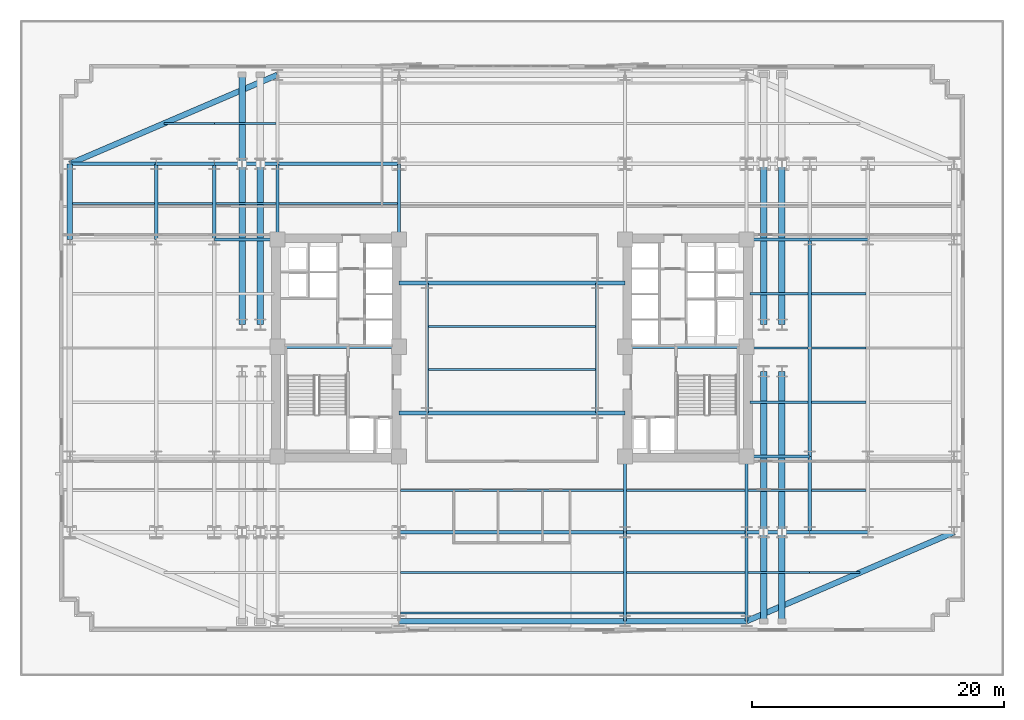
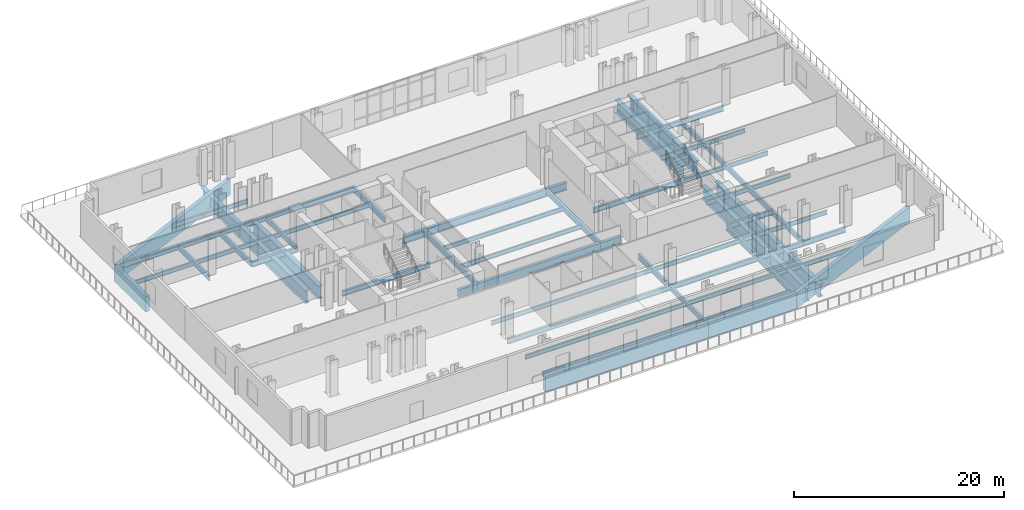
# One storey, part 2 of 14: 70 beams.
"""IFC4 building model written with IfcOpenShell, lengths in metres."""

from ifc_helpers import new_model, si_unit, direction, frame, origin, origin_2d, place, context, subcontext, project, spatial, rectangle, i_section, extrude, material, material_profile, profile_set, type_object, element, save


model = new_model("IFC4")

# Units and contexts
model_context = context("Model", 3, precision=1e-05, world=origin(), true_north=direction((0.0, 1.0)))
body_context = subcontext(model_context, "Body", "Model", "MODEL_VIEW")
ifc_project = project(units=[si_unit("LENGTHUNIT", "METRE"), si_unit("AREAUNIT", "SQUARE_METRE"), si_unit("VOLUMEUNIT", "CUBIC_METRE"), si_unit("PLANEANGLEUNIT", "RADIAN"), si_unit("MASSUNIT", "GRAM", prefix="KILO")], contexts=[model_context])

# Site, building, storey
site_placement = place(None, origin())
site = spatial("IfcSite", under=ifc_project, at=site_placement, CompositionType="ELEMENT")
building_placement = place(site_placement, origin())
building = spatial("IfcBuilding", under=site, at=building_placement, Name="Velakula Bourse", CompositionType="ELEMENT")
storey_placement = place(building_placement, frame((0.0, 0.0, 27.0)))
storey = spatial("IfcBuildingStorey", under=building, at=storey_placement, Name="L06", CompositionType="ELEMENT", Elevation=27.0)

# Beams
ifc_material_1 = material(Name="Steel IS 2062 Grade 350 (E350)", Category="steel")
ifc_material_profile_1 = material_profile(ifc_material_1, i_section(OverallWidth=0.25, OverallDepth=0.60009765625, WebThickness=0.01171875, FlangeThickness=0.023681640625, at=origin_2d()), Name="Steel IS 2062 Grade 350 (E350)")
ifc_profile_set_1 = profile_set([ifc_material_profile_1], Name="Steel IS 2062 Grade 350 (E350)")
beam_type_1 = type_object("IfcBeamType", Name="BM-GRD-600H", PredefinedType="BEAM", material=ifc_profile_set_1)
for number, where, z_axis, x_axis, name in (
    (1, (-18.60009765625, 0.10009765625, -0.580078125), (1.0, 0.0, 0.0), (0.0, 1.0, 0.0), "L06 Primary Backbone Girder CRW-M"),
    (2, (8.949951171875, 0.10009765625, -0.580078125), (1.0, 0.0, 0.0), (0.0, 1.0, 0.0), "L06 Primary Backbone Girder CRE-M"),
):
    element("IfcBeam", number, at=place(storey_placement, frame(where, z_axis=z_axis, x_axis=x_axis)), inside=storey, type_object=beam_type_1, Name=name, PredefinedType="BEAM", context=body_context, shape_type="SweptSolid", body=[
        extrude(i_section(OverallWidth=0.25, OverallDepth=0.60009765625, WebThickness=0.01171875, FlangeThickness=0.023681640625, at=origin_2d()), origin(), (0.0, 0.0, 1.0), 9.650146484375),
    ])
for number, where, z_axis, x_axis, name in (
    (3, (-6.75, -5.14990234375, -0.580078125), (0.0, 1.0, 0.0), (-1.0, 0.0, 0.0), "L06 Primary Backbone Girder SPN-W"),
    (4, (6.75, -5.14990234375, -0.580078125), (0.0, 1.0, 0.0), (-1.0, 0.0, 0.0), "L06 Primary Backbone Girder SPN-E"),
):
    element("IfcBeam", number, at=place(storey_placement, frame(where, z_axis=z_axis, x_axis=x_axis)), inside=storey, type_object=beam_type_1, Name=name, PredefinedType="BEAM", context=body_context, shape_type="SweptSolid", body=[
        extrude(i_section(OverallWidth=0.25, OverallDepth=0.60009765625, WebThickness=0.01171875, FlangeThickness=0.023681640625, at=origin_2d()), origin(), (0.0, 0.0, 1.0), 10.2998046875),
    ])
for number, where, z_axis, x_axis, name in (
    (5, (-18.60009765625, 8.60009765625, -0.580078125), (0.0, 1.0, 0.0), (-1.0, 0.0, 0.0), "L06 Fulcrum Grid Girder FLC-WN"),
    (6, (-8.949951171875, 8.60009765625, -0.580078125), (0.0, 1.0, 0.0), (-1.0, 0.0, 0.0), "L06 Fulcrum Grid Girder FLC-WCN"),
    (7, (8.949951171875, -14.60009765625, -0.580078125), (0.0, 1.0, 0.0), (-1.0, 0.0, 0.0), "L06 Fulcrum Grid Girder FLC-ECS"),
    (8, (18.60009765625, -14.60009765625, -0.580078125), (0.0, 1.0, 0.0), (-1.0, 0.0, 0.0), "L06 Fulcrum Grid Girder FLC-ES"),
):
    element("IfcBeam", number, at=place(storey_placement, frame(where, z_axis=z_axis, x_axis=x_axis)), inside=storey, type_object=beam_type_1, Name=name, PredefinedType="BEAM", context=body_context, shape_type="SweptSolid", body=[
        extrude(i_section(OverallWidth=0.25, OverallDepth=0.60009765625, WebThickness=0.01171875, FlangeThickness=0.023681640625, at=origin_2d()), origin(), (0.0, 0.0, 1.0), 6.0),
    ])
beam_1_placement = place(storey_placement, frame((-8.949951171875, -14.60009765625, -0.580078125), z_axis=(1.0, 0.0, 0.0), x_axis=(0.0, 1.0, 0.0)))
element("IfcBeam", 9, at=beam_1_placement, inside=storey, type_object=beam_type_1, Name="L06 Fulcrum Grid Girder FLC-S2", PredefinedType="BEAM", context=body_context, shape_type="SweptSolid", body=[
    extrude(i_section(OverallWidth=0.25, OverallDepth=0.60009765625, WebThickness=0.01171875, FlangeThickness=0.023681640625, at=origin_2d()), origin(), (0.0, 0.0, 1.0), 17.89990234375),
])
for number, where, z_axis, x_axis, name in (
    (10, (8.949951171875, -14.60009765625, -0.580078125), (1.0, 0.0, 0.0), (0.0, 1.0, 0.0), "L06 Fulcrum Grid Girder FLC-S3"),
    (11, (-18.60009765625, 14.60009765625, -0.580078125), (1.0, 0.0, 0.0), (0.0, 1.0, 0.0), "L06 Fulcrum Grid Girder FLC-N1"),
):
    element("IfcBeam", number, at=place(storey_placement, frame(where, z_axis=z_axis, x_axis=x_axis)), inside=storey, type_object=beam_type_1, Name=name, PredefinedType="BEAM", context=body_context, shape_type="SweptSolid", body=[
        extrude(i_section(OverallWidth=0.25, OverallDepth=0.60009765625, WebThickness=0.01171875, FlangeThickness=0.023681640625, at=origin_2d()), origin(), (0.0, 0.0, 1.0), 9.650146484375),
    ])
for number, where, z_axis, x_axis, name in (
    (12, (-23.60009765625, 8.60009765625, -0.580078125), (1.0, 0.0, 0.0), (0.0, 1.0, 0.0), "L06 Fulcrum Grid Girder MWG-WN1"),
    (13, (-23.60009765625, 14.60009765625, -0.580078125), (1.0, 0.0, 0.0), (0.0, 1.0, 0.0), "L06 Fulcrum Grid Girder MWG-WN2"),
):
    element("IfcBeam", number, at=place(storey_placement, frame(where, z_axis=z_axis, x_axis=x_axis)), inside=storey, type_object=beam_type_1, Name=name, PredefinedType="BEAM", context=body_context, shape_type="SweptSolid", body=[
        extrude(i_section(OverallWidth=0.25, OverallDepth=0.60009765625, WebThickness=0.01171875, FlangeThickness=0.023681640625, at=origin_2d()), origin(), (0.0, 0.0, 1.0), 5.0),
    ])
beam_2_placement = place(storey_placement, frame((-23.60009765625, 8.60009765625, -0.580078125), z_axis=(0.0, 1.0, 0.0), x_axis=(-1.0, 0.0, 0.0)))
element("IfcBeam", 14, at=beam_2_placement, inside=storey, type_object=beam_type_1, Name="L06 Fulcrum Grid Girder MWG-WNS3", PredefinedType="BEAM", context=body_context, shape_type="SweptSolid", body=[
    extrude(i_section(OverallWidth=0.25, OverallDepth=0.60009765625, WebThickness=0.01171875, FlangeThickness=0.023681640625, at=origin_2d()), origin(), (0.0, 0.0, 1.0), 6.0),
])
for number, where, z_axis, x_axis, name in (
    (15, (18.60009765625, -14.60009765625, -0.580078125), (1.0, 0.0, 0.0), (0.0, 1.0, 0.0), "L06 Fulcrum Grid Girder MWG-ES1"),
    (16, (18.60009765625, -8.60009765625, -0.580078125), (1.0, 0.0, 0.0), (0.0, 1.0, 0.0), "L06 Fulcrum Grid Girder MWG-ES2"),
    (17, (18.60009765625, 8.60009765625, -0.580078125), (1.0, 0.0, 0.0), (0.0, 1.0, 0.0), "L06 Fulcrum Grid Girder MWG-EN1"),
):
    element("IfcBeam", number, at=place(storey_placement, frame(where, z_axis=z_axis, x_axis=x_axis)), inside=storey, type_object=beam_type_1, Name=name, PredefinedType="BEAM", context=body_context, shape_type="SweptSolid", body=[
        extrude(i_section(OverallWidth=0.25, OverallDepth=0.60009765625, WebThickness=0.01171875, FlangeThickness=0.023681640625, at=origin_2d()), origin(), (0.0, 0.0, 1.0), 5.0),
    ])
beam_3_placement = place(storey_placement, frame((23.60009765625, -14.60009765625, -0.580078125), z_axis=(0.0, 1.0, 0.0), x_axis=(-1.0, 0.0, 0.0)))
element("IfcBeam", 18, at=beam_3_placement, inside=storey, type_object=beam_type_1, Name="L06 Fulcrum Grid Girder MWG-ENS1", PredefinedType="BEAM", context=body_context, shape_type="SweptSolid", body=[
    extrude(i_section(OverallWidth=0.25, OverallDepth=0.60009765625, WebThickness=0.01171875, FlangeThickness=0.023681640625, at=origin_2d()), origin(), (0.0, 0.0, 1.0), 6.0),
])
beam_4_placement = place(storey_placement, frame((23.60009765625, -8.60009765625, -0.580078125), z_axis=(0.0, 1.0, 0.0), x_axis=(-1.0, 0.0, 0.0)))
element("IfcBeam", 19, at=beam_4_placement, inside=storey, type_object=beam_type_1, Name="L06 Fulcrum Grid Girder MWG-ENS2", PredefinedType="BEAM", context=body_context, shape_type="SweptSolid", body=[
    extrude(i_section(OverallWidth=0.25, OverallDepth=0.60009765625, WebThickness=0.01171875, FlangeThickness=0.023681640625, at=origin_2d()), origin(), (0.0, 0.0, 1.0), 17.2001953125),
])
beam_5_placement = place(storey_placement, frame((-28.199951171875, 14.60009765625, -0.580078125), z_axis=(1.0, 0.0, 0.0), x_axis=(0.0, 1.0, 0.0)))
element("IfcBeam", 20, at=beam_5_placement, inside=storey, type_object=beam_type_1, Name="L06 Fulcrum Grid Girder WNG-WN2", PredefinedType="BEAM", context=body_context, shape_type="SweptSolid", body=[
    extrude(i_section(OverallWidth=0.25, OverallDepth=0.60009765625, WebThickness=0.01171875, FlangeThickness=0.023681640625, at=origin_2d()), origin(), (0.0, 0.0, 1.0), 4.599853515625),
])
beam_6_placement = place(storey_placement, frame((-28.199951171875, 8.60009765625, -0.580078125), z_axis=(0.0, 1.0, 0.0), x_axis=(-1.0, 0.0, 0.0)))
element("IfcBeam", 21, at=beam_6_placement, inside=storey, type_object=beam_type_1, Name="L06 Fulcrum Grid Girder WNG-WNS3", PredefinedType="BEAM", context=body_context, shape_type="SweptSolid", body=[
    extrude(i_section(OverallWidth=0.25, OverallDepth=0.60009765625, WebThickness=0.01171875, FlangeThickness=0.023681640625, at=origin_2d()), origin(), (0.0, 0.0, 1.0), 6.0),
])
for number, where, z_axis, x_axis, name in (
    (22, (23.60009765625, -14.60009765625, -0.580078125), (1.0, 0.0, 0.0), (0.0, 1.0, 0.0), "L06 Fulcrum Grid Girder WNG-ES1"),
    (23, (23.60009765625, 8.60009765625, -0.580078125), (1.0, 0.0, 0.0), (0.0, 1.0, 0.0), "L06 Fulcrum Grid Girder WNG-EN1"),
):
    element("IfcBeam", number, at=place(storey_placement, frame(where, z_axis=z_axis, x_axis=x_axis)), inside=storey, type_object=beam_type_1, Name=name, PredefinedType="BEAM", context=body_context, shape_type="SweptSolid", body=[
        extrude(i_section(OverallWidth=0.25, OverallDepth=0.60009765625, WebThickness=0.01171875, FlangeThickness=0.023681640625, at=origin_2d()), origin(), (0.0, 0.0, 1.0), 4.599853515625),
    ])
for number, where, z_axis, x_axis, name in (
    (24, (8.949951171875, -14.60009765625, -0.580078125), (0.0, -1.0, 0.0), (1.0, 0.0, 0.0), "L06 Perimeter Tie Girder S3"),
    (25, (18.60009765625, -14.60009765625, -0.580078125), (0.0, -1.0, 0.0), (1.0, 0.0, 0.0), "L06 Perimeter Tie Girder S4"),
):
    element("IfcBeam", number, at=place(storey_placement, frame(where, z_axis=z_axis, x_axis=x_axis)), inside=storey, type_object=beam_type_1, Name=name, PredefinedType="BEAM", context=body_context, shape_type="SweptSolid", body=[
        extrude(i_section(OverallWidth=0.25, OverallDepth=0.60009765625, WebThickness=0.01171875, FlangeThickness=0.023681640625, at=origin_2d()), origin(), (0.0, 0.0, 1.0), 7.0498046875),
    ])
beam_7_placement = place(storey_placement, frame((-28.199951171875, 14.60009765625, -0.580078125), z_axis=(-1.0, 0.0, 0.0), x_axis=(0.0, -1.0, 0.0)))
element("IfcBeam", 26, at=beam_7_placement, inside=storey, type_object=beam_type_1, Name="L06 Perimeter Tie Girder W4", PredefinedType="BEAM", context=body_context, shape_type="SweptSolid", body=[
    extrude(i_section(OverallWidth=0.25, OverallDepth=0.60009765625, WebThickness=0.01171875, FlangeThickness=0.023681640625, at=origin_2d()), origin(), (0.0, 0.0, 1.0), 6.85009765625),
])
ifc_material_profile_2 = material_profile(ifc_material_1, i_section(OverallWidth=0.35009765625, OverallDepth=0.89990234375, WebThickness=0.02001953125, FlangeThickness=0.031982421875, at=origin_2d()), Name="Steel IS 2062 Grade 350 (E350)")
ifc_profile_set_2 = profile_set([ifc_material_profile_2], Name="Steel IS 2062 Grade 350 (E350)")
beam_type_2 = type_object("IfcBeamType", Name="BM-LNK-900", PredefinedType="BEAM", material=ifc_profile_set_2)
beam_8_placement = place(storey_placement, frame((-8.949951171875, -5.14990234375, -0.72998046875), z_axis=(1.0, 0.0, 0.0), x_axis=(0.0, 1.0, 0.0)))
element("IfcBeam", 27, at=beam_8_placement, inside=storey, type_object=beam_type_2, Name="L06 Primary Backbone Girder LNK-S1", PredefinedType="BEAM", context=body_context, shape_type="SweptSolid", body=[
    extrude(i_section(OverallWidth=0.35009765625, OverallDepth=0.89990234375, WebThickness=0.02001953125, FlangeThickness=0.031982421875, at=origin_2d()), origin(), (0.0, 0.0, 1.0), 2.199951171875),
])
beam_9_placement = place(storey_placement, frame((-6.75, -5.14990234375, -0.72998046875), z_axis=(1.0, 0.0, 0.0), x_axis=(0.0, 1.0, 0.0)))
element("IfcBeam", 28, at=beam_9_placement, inside=storey, type_object=beam_type_2, Name="L06 Primary Backbone Girder LNK-S2", PredefinedType="BEAM", context=body_context, shape_type="SweptSolid", body=[
    extrude(i_section(OverallWidth=0.35009765625, OverallDepth=0.89990234375, WebThickness=0.02001953125, FlangeThickness=0.031982421875, at=origin_2d()), origin(), (0.0, 0.0, 1.0), 13.5),
])
for number, where, z_axis, x_axis, name in (
    (29, (6.75, -5.14990234375, -0.72998046875), (1.0, 0.0, 0.0), (0.0, 1.0, 0.0), "L06 Primary Backbone Girder LNK-S3"),
    (30, (-8.949951171875, 5.14990234375, -0.72998046875), (1.0, 0.0, 0.0), (0.0, 1.0, 0.0), "L06 Primary Backbone Girder LNK-N1"),
):
    element("IfcBeam", number, at=place(storey_placement, frame(where, z_axis=z_axis, x_axis=x_axis)), inside=storey, type_object=beam_type_2, Name=name, PredefinedType="BEAM", context=body_context, shape_type="SweptSolid", body=[
        extrude(i_section(OverallWidth=0.35009765625, OverallDepth=0.89990234375, WebThickness=0.02001953125, FlangeThickness=0.031982421875, at=origin_2d()), origin(), (0.0, 0.0, 1.0), 2.199951171875),
    ])
beam_10_placement = place(storey_placement, frame((-6.75, 5.14990234375, -0.72998046875), z_axis=(1.0, 0.0, 0.0), x_axis=(0.0, 1.0, 0.0)))
element("IfcBeam", 31, at=beam_10_placement, inside=storey, type_object=beam_type_2, Name="L06 Primary Backbone Girder LNK-N2", PredefinedType="BEAM", context=body_context, shape_type="SweptSolid", body=[
    extrude(i_section(OverallWidth=0.35009765625, OverallDepth=0.89990234375, WebThickness=0.02001953125, FlangeThickness=0.031982421875, at=origin_2d()), origin(), (0.0, 0.0, 1.0), 13.5),
])
beam_11_placement = place(storey_placement, frame((6.75, 5.14990234375, -0.72998046875), z_axis=(1.0, 0.0, 0.0), x_axis=(0.0, 1.0, 0.0)))
element("IfcBeam", 32, at=beam_11_placement, inside=storey, type_object=beam_type_2, Name="L06 Primary Backbone Girder LNK-N3", PredefinedType="BEAM", context=body_context, shape_type="SweptSolid", body=[
    extrude(i_section(OverallWidth=0.35009765625, OverallDepth=0.89990234375, WebThickness=0.02001953125, FlangeThickness=0.031982421875, at=origin_2d()), origin(), (0.0, 0.0, 1.0), 2.199951171875),
])
ifc_material_profile_3 = material_profile(ifc_material_1, i_section(OverallWidth=0.179931640625, OverallDepth=0.5, WebThickness=0.01025390625, FlangeThickness=0.01708984375, at=origin_2d()), Name="Steel IS 2062 Grade 350 (E350)")
ifc_profile_set_3 = profile_set([ifc_material_profile_3], Name="Steel IS 2062 Grade 350 (E350)")
beam_type_3 = type_object("IfcBeamType", Name="JST-TWR-500", PredefinedType="JOIST", material=ifc_profile_set_3)
beam_12_placement = place(storey_placement, frame((-8.824951171875, -21.0, -0.530029296875), z_axis=(1.0, 0.0, 0.0), x_axis=(0.0, 1.0, 0.0)))
element("IfcBeam", 33, at=beam_12_placement, inside=storey, type_object=beam_type_3, Name="L06 Trading Floor Composite Joist 02", PredefinedType="JOIST", context=body_context, shape_type="SweptSolid", body=[
    extrude(i_section(OverallWidth=0.179931640625, OverallDepth=0.5, WebThickness=0.01025390625, FlangeThickness=0.01708984375, at=origin_2d()), origin(), (0.0, 0.0, 1.0), 17.64990234375),
])
beam_13_placement = place(storey_placement, frame((9.074951171875, -21.0, -0.530029296875), z_axis=(1.0, 0.0, 0.0), x_axis=(0.0, 1.0, 0.0)))
element("IfcBeam", 34, at=beam_13_placement, inside=storey, type_object=beam_type_3, Name="L06 Trading Floor Composite Joist 03", PredefinedType="JOIST", context=body_context, shape_type="SweptSolid", body=[
    extrude(i_section(OverallWidth=0.179931640625, OverallDepth=0.5, WebThickness=0.01025390625, FlangeThickness=0.01708984375, at=origin_2d()), origin(), (0.0, 0.0, 1.0), 9.400146484375),
])
beam_14_placement = place(storey_placement, frame((-8.824951171875, -17.800048828125, -0.530029296875), z_axis=(1.0, 0.0, 0.0), x_axis=(0.0, 1.0, 0.0)))
element("IfcBeam", 35, at=beam_14_placement, inside=storey, type_object=beam_type_3, Name="L06 Trading Floor Composite Joist 07", PredefinedType="JOIST", context=body_context, shape_type="SweptSolid", body=[
    extrude(i_section(OverallWidth=0.179931640625, OverallDepth=0.5, WebThickness=0.01025390625, FlangeThickness=0.01708984375, at=origin_2d()), origin(), (0.0, 0.0, 1.0), 17.64990234375),
])
beam_15_placement = place(storey_placement, frame((9.074951171875, -17.800048828125, -0.530029296875), z_axis=(1.0, 0.0, 0.0), x_axis=(0.0, 1.0, 0.0)))
element("IfcBeam", 36, at=beam_15_placement, inside=storey, type_object=beam_type_3, Name="L06 Trading Floor Composite Joist 08", PredefinedType="JOIST", context=body_context, shape_type="SweptSolid", body=[
    extrude(i_section(OverallWidth=0.179931640625, OverallDepth=0.5, WebThickness=0.01025390625, FlangeThickness=0.01708984375, at=origin_2d()), origin(), (0.0, 0.0, 1.0), 9.400146484375),
])
beam_16_placement = place(storey_placement, frame((18.72509765625, -17.800048828125, -0.530029296875), z_axis=(1.0, 0.0, 0.0), x_axis=(0.0, 1.0, 0.0)))
element("IfcBeam", 37, at=beam_16_placement, inside=storey, type_object=beam_type_3, Name="L06 Trading Floor Composite Joist 09", PredefinedType="JOIST", context=body_context, shape_type="SweptSolid", body=[
    extrude(i_section(OverallWidth=0.179931640625, OverallDepth=0.5, WebThickness=0.01025390625, FlangeThickness=0.01708984375, at=origin_2d()), origin(), (0.0, 0.0, 1.0), 4.875),
])
beam_17_placement = place(storey_placement, frame((23.60009765625, -17.800048828125, -0.530029296875), z_axis=(1.0, 0.0, 0.0), x_axis=(0.0, 1.0, 0.0)))
element("IfcBeam", 38, at=beam_17_placement, inside=storey, type_object=beam_type_3, Name="L06 Trading Floor Composite Joist 10", PredefinedType="JOIST", context=body_context, shape_type="SweptSolid", body=[
    extrude(i_section(OverallWidth=0.179931640625, OverallDepth=0.5, WebThickness=0.01025390625, FlangeThickness=0.01708984375, at=origin_2d()), origin(), (0.0, 0.0, 1.0), 3.983154296875),
])
beam_18_placement = place(storey_placement, frame((-8.824951171875, -11.300048828125, -0.530029296875), z_axis=(1.0, 0.0, 0.0), x_axis=(0.0, 1.0, 0.0)))
element("IfcBeam", 39, at=beam_18_placement, inside=storey, type_object=beam_type_3, Name="L06 Trading Floor Composite Joist 15", PredefinedType="JOIST", context=body_context, shape_type="SweptSolid", body=[
    extrude(i_section(OverallWidth=0.179931640625, OverallDepth=0.5, WebThickness=0.01025390625, FlangeThickness=0.01708984375, at=origin_2d()), origin(), (0.0, 0.0, 1.0), 17.64990234375),
])
beam_19_placement = place(storey_placement, frame((9.074951171875, -11.300048828125, -0.530029296875), z_axis=(1.0, 0.0, 0.0), x_axis=(0.0, 1.0, 0.0)))
element("IfcBeam", 40, at=beam_19_placement, inside=storey, type_object=beam_type_3, Name="L06 Trading Floor Composite Joist 16", PredefinedType="JOIST", context=body_context, shape_type="SweptSolid", body=[
    extrude(i_section(OverallWidth=0.179931640625, OverallDepth=0.5, WebThickness=0.01025390625, FlangeThickness=0.01708984375, at=origin_2d()), origin(), (0.0, 0.0, 1.0), 9.400146484375),
])
beam_20_placement = place(storey_placement, frame((18.72509765625, -11.300048828125, -0.530029296875), z_axis=(1.0, 0.0, 0.0), x_axis=(0.0, 1.0, 0.0)))
element("IfcBeam", 41, at=beam_20_placement, inside=storey, type_object=beam_type_3, Name="L06 Trading Floor Composite Joist 17", PredefinedType="JOIST", context=body_context, shape_type="SweptSolid", body=[
    extrude(i_section(OverallWidth=0.179931640625, OverallDepth=0.5, WebThickness=0.01025390625, FlangeThickness=0.01708984375, at=origin_2d()), origin(), (0.0, 0.0, 1.0), 4.75),
])
beam_21_placement = place(storey_placement, frame((23.72509765625, -11.300048828125, -0.530029296875), z_axis=(1.0, 0.0, 0.0), x_axis=(0.0, 1.0, 0.0)))
element("IfcBeam", 42, at=beam_21_placement, inside=storey, type_object=beam_type_3, Name="L06 Trading Floor Composite Joist 18", PredefinedType="JOIST", context=body_context, shape_type="SweptSolid", body=[
    extrude(i_section(OverallWidth=0.179931640625, OverallDepth=0.5, WebThickness=0.01025390625, FlangeThickness=0.01708984375, at=origin_2d()), origin(), (0.0, 0.0, 1.0), 4.349853515625),
])
beam_22_placement = place(storey_placement, frame((-34.824951171875, 11.449951171875, -0.530029296875), z_axis=(1.0, 0.0, 0.0), x_axis=(0.0, 1.0, 0.0)))
element("IfcBeam", 43, at=beam_22_placement, inside=storey, type_object=beam_type_3, Name="L06 Trading Floor Composite Joist 20", PredefinedType="JOIST", context=body_context, shape_type="SweptSolid", body=[
    extrude(i_section(OverallWidth=0.179931640625, OverallDepth=0.5, WebThickness=0.01025390625, FlangeThickness=0.01708984375, at=origin_2d()), origin(), (0.0, 0.0, 1.0), 6.5),
])
beam_23_placement = place(storey_placement, frame((-28.074951171875, 11.449951171875, -0.530029296875), z_axis=(1.0, 0.0, 0.0), x_axis=(0.0, 1.0, 0.0)))
element("IfcBeam", 44, at=beam_23_placement, inside=storey, type_object=beam_type_3, Name="L06 Trading Floor Composite Joist 21", PredefinedType="JOIST", context=body_context, shape_type="SweptSolid", body=[
    extrude(i_section(OverallWidth=0.179931640625, OverallDepth=0.5, WebThickness=0.01025390625, FlangeThickness=0.01708984375, at=origin_2d()), origin(), (0.0, 0.0, 1.0), 4.349853515625),
])
beam_24_placement = place(storey_placement, frame((-23.47509765625, 11.449951171875, -0.530029296875), z_axis=(1.0, 0.0, 0.0), x_axis=(0.0, 1.0, 0.0)))
element("IfcBeam", 45, at=beam_24_placement, inside=storey, type_object=beam_type_3, Name="L06 Trading Floor Composite Joist 22", PredefinedType="JOIST", context=body_context, shape_type="SweptSolid", body=[
    extrude(i_section(OverallWidth=0.179931640625, OverallDepth=0.5, WebThickness=0.01025390625, FlangeThickness=0.01708984375, at=origin_2d()), origin(), (0.0, 0.0, 1.0), 4.75),
])
beam_25_placement = place(storey_placement, frame((-18.47509765625, 11.449951171875, -0.530029296875), z_axis=(1.0, 0.0, 0.0), x_axis=(0.0, 1.0, 0.0)))
element("IfcBeam", 46, at=beam_25_placement, inside=storey, type_object=beam_type_3, Name="L06 Trading Floor Composite Joist 23", PredefinedType="JOIST", context=body_context, shape_type="SweptSolid", body=[
    extrude(i_section(OverallWidth=0.179931640625, OverallDepth=0.5, WebThickness=0.01025390625, FlangeThickness=0.01708984375, at=origin_2d()), origin(), (0.0, 0.0, 1.0), 9.400146484375),
])
beam_26_placement = place(storey_placement, frame((-27.583251953125, 17.800048828125, -0.530029296875), z_axis=(1.0, 0.0, 0.0), x_axis=(0.0, 1.0, 0.0)))
element("IfcBeam", 47, at=beam_26_placement, inside=storey, type_object=beam_type_3, Name="L06 Trading Floor Composite Joist 29", PredefinedType="JOIST", context=body_context, shape_type="SweptSolid", body=[
    extrude(i_section(OverallWidth=0.179931640625, OverallDepth=0.5, WebThickness=0.01025390625, FlangeThickness=0.01708984375, at=origin_2d()), origin(), (0.0, 0.0, 1.0), 3.983154296875),
])
beam_27_placement = place(storey_placement, frame((-23.60009765625, 17.800048828125, -0.530029296875), z_axis=(1.0, 0.0, 0.0), x_axis=(0.0, 1.0, 0.0)))
element("IfcBeam", 48, at=beam_27_placement, inside=storey, type_object=beam_type_3, Name="L06 Trading Floor Composite Joist 30", PredefinedType="JOIST", context=body_context, shape_type="SweptSolid", body=[
    extrude(i_section(OverallWidth=0.179931640625, OverallDepth=0.5, WebThickness=0.01025390625, FlangeThickness=0.01708984375, at=origin_2d()), origin(), (0.0, 0.0, 1.0), 4.875),
])
for number, where, z_axis, x_axis, name in (
    (49, (-6.625, -1.699951171875, -0.530029296875), (1.0, 0.0, 0.0), (0.0, 1.0, 0.0), "L06 Trading Floor Composite Joist 39"),
    (50, (-6.625, 1.699951171875, -0.530029296875), (1.0, 0.0, 0.0), (0.0, 1.0, 0.0), "L06 Trading Floor Composite Joist 40"),
):
    element("IfcBeam", number, at=place(storey_placement, frame(where, z_axis=z_axis, x_axis=x_axis)), inside=storey, type_object=beam_type_3, Name=name, PredefinedType="JOIST", context=body_context, shape_type="SweptSolid", body=[
        extrude(i_section(OverallWidth=0.179931640625, OverallDepth=0.5, WebThickness=0.01025390625, FlangeThickness=0.01708984375, at=origin_2d()), origin(), (0.0, 0.0, 1.0), 13.25),
    ])
beam_28_placement = place(storey_placement, frame((18.85009765625, -4.300048828125, -0.530029296875), z_axis=(1.0, 0.0, 0.0), x_axis=(0.0, 1.0, 0.0)))
element("IfcBeam", 51, at=beam_28_placement, inside=storey, type_object=beam_type_3, Name="L06 Trading Floor Composite Joist 44", PredefinedType="JOIST", context=body_context, shape_type="SweptSolid", body=[
    extrude(i_section(OverallWidth=0.179931640625, OverallDepth=0.5, WebThickness=0.01025390625, FlangeThickness=0.01708984375, at=origin_2d()), origin(), (0.0, 0.0, 1.0), 4.625),
])
beam_29_placement = place(storey_placement, frame((23.72509765625, -4.300048828125, -0.530029296875), z_axis=(1.0, 0.0, 0.0), x_axis=(0.0, 1.0, 0.0)))
element("IfcBeam", 52, at=beam_29_placement, inside=storey, type_object=beam_type_3, Name="L06 Trading Floor Composite Joist 45", PredefinedType="JOIST", context=body_context, shape_type="SweptSolid", body=[
    extrude(i_section(OverallWidth=0.179931640625, OverallDepth=0.5, WebThickness=0.01025390625, FlangeThickness=0.01708984375, at=origin_2d()), origin(), (0.0, 0.0, 1.0), 4.349853515625),
])
beam_30_placement = place(storey_placement, frame((18.85009765625, 0.0, -0.530029296875), z_axis=(1.0, 0.0, 0.0), x_axis=(0.0, 1.0, 0.0)))
element("IfcBeam", 53, at=beam_30_placement, inside=storey, type_object=beam_type_3, Name="L06 Trading Floor Composite Joist 50", PredefinedType="JOIST", context=body_context, shape_type="SweptSolid", body=[
    extrude(i_section(OverallWidth=0.179931640625, OverallDepth=0.5, WebThickness=0.01025390625, FlangeThickness=0.01708984375, at=origin_2d()), origin(), (0.0, 0.0, 1.0), 4.625),
])
beam_31_placement = place(storey_placement, frame((23.72509765625, 0.0, -0.530029296875), z_axis=(1.0, 0.0, 0.0), x_axis=(0.0, 1.0, 0.0)))
element("IfcBeam", 54, at=beam_31_placement, inside=storey, type_object=beam_type_3, Name="L06 Trading Floor Composite Joist 51", PredefinedType="JOIST", context=body_context, shape_type="SweptSolid", body=[
    extrude(i_section(OverallWidth=0.179931640625, OverallDepth=0.5, WebThickness=0.01025390625, FlangeThickness=0.01708984375, at=origin_2d()), origin(), (0.0, 0.0, 1.0), 4.349853515625),
])
beam_32_placement = place(storey_placement, frame((18.85009765625, 4.300048828125, -0.530029296875), z_axis=(1.0, 0.0, 0.0), x_axis=(0.0, 1.0, 0.0)))
element("IfcBeam", 55, at=beam_32_placement, inside=storey, type_object=beam_type_3, Name="L06 Trading Floor Composite Joist 56", PredefinedType="JOIST", context=body_context, shape_type="SweptSolid", body=[
    extrude(i_section(OverallWidth=0.179931640625, OverallDepth=0.5, WebThickness=0.01025390625, FlangeThickness=0.01708984375, at=origin_2d()), origin(), (0.0, 0.0, 1.0), 4.625),
])
beam_33_placement = place(storey_placement, frame((23.72509765625, 4.300048828125, -0.530029296875), z_axis=(1.0, 0.0, 0.0), x_axis=(0.0, 1.0, 0.0)))
element("IfcBeam", 56, at=beam_33_placement, inside=storey, type_object=beam_type_3, Name="L06 Trading Floor Composite Joist 57", PredefinedType="JOIST", context=body_context, shape_type="SweptSolid", body=[
    extrude(i_section(OverallWidth=0.179931640625, OverallDepth=0.5, WebThickness=0.01025390625, FlangeThickness=0.01708984375, at=origin_2d()), origin(), (0.0, 0.0, 1.0), 4.349853515625),
])
ifc_material_2 = material(Name="Concrete M50 (fck 50 MPa)", Category="concrete")
ifc_material_profile_4 = material_profile(ifc_material_2, rectangle(XDim=0.449951171875, YDim=1.800048828125, at=origin_2d()), Name="Concrete M50 (fck 50 MPa)")
ifc_profile_set_4 = profile_set([ifc_material_profile_4], Name="Concrete M50 (fck 50 MPa)")
beam_type_4 = type_object("IfcBeamType", Name="SPN-TRF-1800", PredefinedType="SPANDREL", material=ifc_profile_set_4)
beam_34_placement = place(storey_placement, frame((-8.949951171875, -21.64990234375, -1.179931640625), z_axis=(1.0, 0.0, 0.0), x_axis=(0.0, 1.0, 0.0)))
element("IfcBeam", 57, at=beam_34_placement, inside=storey, type_object=beam_type_4, Name="L06 Brick-Faced Precast Spandrel S2-S3", PredefinedType="SPANDREL", context=body_context, shape_type="SweptSolid", body=[
    extrude(rectangle(XDim=0.449951171875, YDim=1.800048828125, at=origin_2d()), origin(), (0.0, 0.0, 1.0), 17.89990234375),
])
beam_35_placement = place(storey_placement, frame((8.949951171875, -21.64990234375, -1.179931640625), z_axis=(1.0, 0.0, 0.0), x_axis=(0.0, 1.0, 0.0)))
element("IfcBeam", 58, at=beam_35_placement, inside=storey, type_object=beam_type_4, Name="L06 Brick-Faced Precast Spandrel S3-S4", PredefinedType="SPANDREL", context=body_context, shape_type="SweptSolid", body=[
    extrude(rectangle(XDim=0.449951171875, YDim=1.800048828125, at=origin_2d()), origin(), (0.0, 0.0, 1.0), 9.650146484375),
])
beam_36_placement = place(storey_placement, frame((-35.050048828125, 8.60009765625, -1.179931640625), z_axis=(0.0, 1.0, 0.0), x_axis=(-1.0, 0.0, 0.0)))
element("IfcBeam", 59, at=beam_36_placement, inside=storey, type_object=beam_type_4, Name="L06 Brick-Faced Precast Spandrel W3-W4", PredefinedType="SPANDREL", context=body_context, shape_type="SweptSolid", body=[
    extrude(rectangle(XDim=0.449951171875, YDim=1.800048828125, at=origin_2d()), origin(), (0.0, 0.0, 1.0), 6.0),
])
for number, where, z_axis, x_axis, name in (
    (60, (18.60009765625, -21.64990234375, -1.179931640625), (0.919148557947, 0.393911066642, 0.0), (-0.393911066642, 0.919148557947, 0.0), "L06 Brick-Faced Precast Spandrel S4-E1"),
    (61, (-18.60009765625, 21.64990234375, -1.179931640625), (-0.919148557947, -0.393911066642, 0.0), (0.393911066642, -0.919148557947, 0.0), "L06 Brick-Faced Precast Spandrel N1-W4"),
):
    element("IfcBeam", number, at=place(storey_placement, frame(where, z_axis=z_axis, x_axis=x_axis)), inside=storey, type_object=beam_type_4, Name=name, PredefinedType="SPANDREL", context=body_context, shape_type="SweptSolid", body=[
        extrude(rectangle(XDim=0.449951171875, YDim=1.800048828125, at=origin_2d()), origin(), (0.0, 0.0, 1.0), 17.89697265625),
    ])
ifc_material_3 = material(Name="Steel IS 2062 Grade 450 (E450)", Category="steel")
ifc_material_profile_5 = material_profile(ifc_material_3, i_section(OverallWidth=0.52001953125, OverallDepth=1.5, WebThickness=0.030029296875, FlangeThickness=0.048095703125, at=origin_2d()), Name="Steel IS 2062 Grade 450 (E450)")
ifc_profile_set_5 = profile_set([ifc_material_profile_5], Name="Steel IS 2062 Grade 450 (E450)")
beam_type_5 = type_object("IfcBeamType", Name="TB-CANT-1500", PredefinedType="BEAM", material=ifc_profile_set_5)
beam_37_placement = place(storey_placement, frame((19.949951171875, -1.85009765625, -1.030029296875), z_axis=(0.0, -1.0, 0.0), x_axis=(1.0, 0.0, 0.0)))
element("IfcBeam", 62, at=beam_37_placement, inside=storey, type_object=beam_type_5, Name="L06 Collinear Transfer Back-Span Girder P03", PredefinedType="BEAM", context=body_context, shape_type="SweptSolid", body=[
    extrude(i_section(OverallWidth=0.52001953125, OverallDepth=1.5, WebThickness=0.030029296875, FlangeThickness=0.048095703125, at=origin_2d()), origin(), (0.0, 0.0, 1.0), 12.75),
])
beam_38_placement = place(storey_placement, frame((19.949951171875, -14.60009765625, -1.030029296875), z_axis=(0.0, -1.0, 0.0), x_axis=(1.0, 0.0, 0.0)))
element("IfcBeam", 63, at=beam_38_placement, inside=storey, type_object=beam_type_5, Name="L06 Primary Cantilever Transfer Chord P03", PredefinedType="BEAM", context=body_context, shape_type="SweptSolid", body=[
    extrude(i_section(OverallWidth=0.52001953125, OverallDepth=1.5, WebThickness=0.030029296875, FlangeThickness=0.048095703125, at=origin_2d()), origin(), (0.0, 0.0, 1.0), 7.0498046875),
])
beam_39_placement = place(storey_placement, frame((21.39990234375, -1.85009765625, -1.030029296875), z_axis=(0.0, -1.0, 0.0), x_axis=(1.0, 0.0, 0.0)))
element("IfcBeam", 64, at=beam_39_placement, inside=storey, type_object=beam_type_5, Name="L06 Collinear Transfer Back-Span Girder P04", PredefinedType="BEAM", context=body_context, shape_type="SweptSolid", body=[
    extrude(i_section(OverallWidth=0.52001953125, OverallDepth=1.5, WebThickness=0.030029296875, FlangeThickness=0.048095703125, at=origin_2d()), origin(), (0.0, 0.0, 1.0), 12.75),
])
beam_40_placement = place(storey_placement, frame((21.39990234375, -14.60009765625, -1.030029296875), z_axis=(0.0, -1.0, 0.0), x_axis=(1.0, 0.0, 0.0)))
element("IfcBeam", 65, at=beam_40_placement, inside=storey, type_object=beam_type_5, Name="L06 Primary Cantilever Transfer Chord P04", PredefinedType="BEAM", context=body_context, shape_type="SweptSolid", body=[
    extrude(i_section(OverallWidth=0.52001953125, OverallDepth=1.5, WebThickness=0.030029296875, FlangeThickness=0.048095703125, at=origin_2d()), origin(), (0.0, 0.0, 1.0), 7.0498046875),
])
beam_41_placement = place(storey_placement, frame((-21.39990234375, 1.85009765625, -1.030029296875), z_axis=(0.0, 1.0, 0.0), x_axis=(-1.0, 0.0, 0.0)))
element("IfcBeam", 66, at=beam_41_placement, inside=storey, type_object=beam_type_5, Name="L06 Collinear Transfer Back-Span Girder P05", PredefinedType="BEAM", context=body_context, shape_type="SweptSolid", body=[
    extrude(i_section(OverallWidth=0.52001953125, OverallDepth=1.5, WebThickness=0.030029296875, FlangeThickness=0.048095703125, at=origin_2d()), origin(), (0.0, 0.0, 1.0), 12.75),
])
beam_42_placement = place(storey_placement, frame((-21.39990234375, 14.60009765625, -1.030029296875), z_axis=(0.0, 1.0, 0.0), x_axis=(-1.0, 0.0, 0.0)))
element("IfcBeam", 67, at=beam_42_placement, inside=storey, type_object=beam_type_5, Name="L06 Primary Cantilever Transfer Chord P05", PredefinedType="BEAM", context=body_context, shape_type="SweptSolid", body=[
    extrude(i_section(OverallWidth=0.52001953125, OverallDepth=1.5, WebThickness=0.030029296875, FlangeThickness=0.048095703125, at=origin_2d()), origin(), (0.0, 0.0, 1.0), 7.0498046875),
])
for number, where, z_axis, x_axis, name in (
    (68, (-19.949951171875, 1.85009765625, -1.030029296875), (0.0, 1.0, 0.0), (-1.0, 0.0, 0.0), "L06 Collinear Transfer Back-Span Girder P06"),
    (69, (19.949951171875, 1.85009765625, -1.030029296875), (0.0, 1.0, 0.0), (-1.0, 0.0, 0.0), "L06 Collinear Transfer Back-Span Girder P07"),
    (70, (21.39990234375, 1.85009765625, -1.030029296875), (0.0, 1.0, 0.0), (-1.0, 0.0, 0.0), "L06 Collinear Transfer Back-Span Girder P08"),
):
    element("IfcBeam", number, at=place(storey_placement, frame(where, z_axis=z_axis, x_axis=x_axis)), inside=storey, type_object=beam_type_5, Name=name, PredefinedType="BEAM", context=body_context, shape_type="SweptSolid", body=[
        extrude(i_section(OverallWidth=0.52001953125, OverallDepth=1.5, WebThickness=0.030029296875, FlangeThickness=0.048095703125, at=origin_2d()), origin(), (0.0, 0.0, 1.0), 12.75),
    ])

save(model, "model.ifc")
